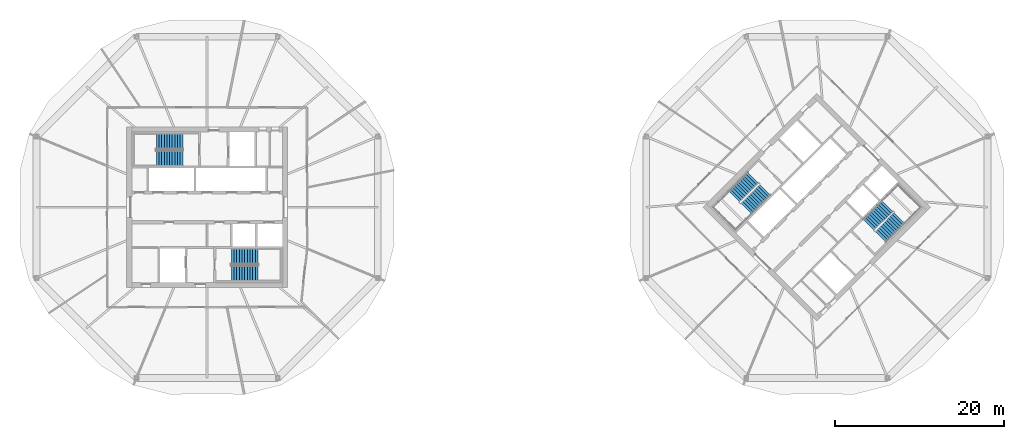
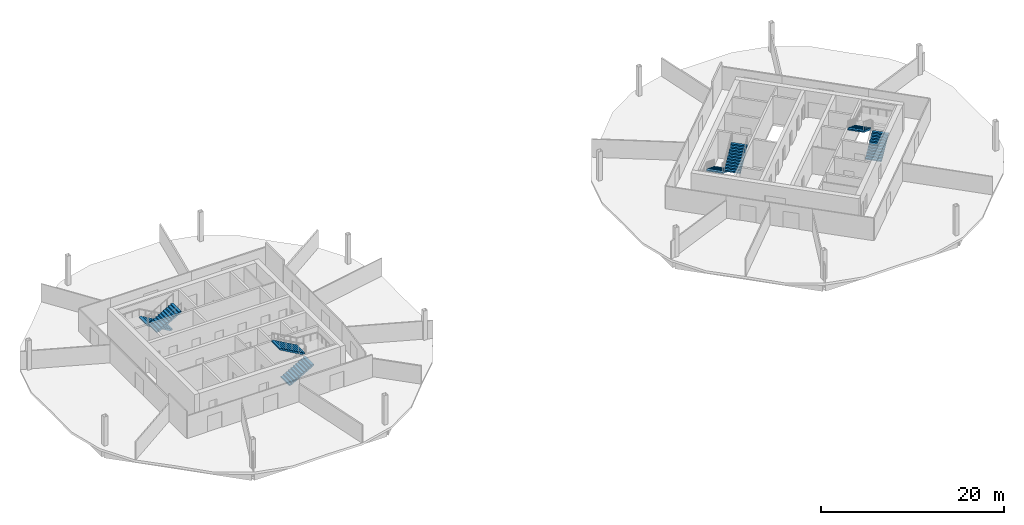
# One storey, part 9 of 10: 8 stair flights, 4 elements without a shape of their own.
"""IFC4 building model written with IfcOpenShell, lengths in metres."""

from ifc_helpers import new_model, si_unit, direction, frame, origin, place, context, subcontext, project, spatial, polyline, outline, extrude, material, type_object, element, aggregate, save


model = new_model("IFC4")

# Units and contexts
model_context = context("Model", 3, precision=1e-05, world=origin(), true_north=direction((0.0, 1.0)))
body_context = subcontext(model_context, "Body", "Model", "MODEL_VIEW")
ifc_project = project(units=[si_unit("LENGTHUNIT", "METRE"), si_unit("AREAUNIT", "SQUARE_METRE"), si_unit("VOLUMEUNIT", "CUBIC_METRE"), si_unit("PLANEANGLEUNIT", "RADIAN"), si_unit("MASSUNIT", "GRAM", prefix="KILO")], contexts=[model_context])

# Site, building, storey
site_placement = place(None, origin())
site = spatial("IfcSite", under=ifc_project, at=site_placement, CompositionType="ELEMENT")
building_placement = place(site_placement, origin())
building = spatial("IfcBuilding", under=site, at=building_placement, Name="Ogive Gate Towers", CompositionType="ELEMENT")
storey_placement = place(building_placement, frame((0.0, 0.0, 173.39990234375)))
storey = spatial("IfcBuildingStorey", under=building, at=storey_placement, Name="L41", CompositionType="ELEMENT", Elevation=173.39990234375)

# Stair, stair flights
ifc_material = material(Name="Concrete C40/50", Category="concrete")
stair_type = type_object("IfcStairType", Name="Escape stair 1840 wide", PredefinedType="HALF_TURN_STAIR", material=ifc_material)
stair_1_placement = place(storey_placement, origin())
stair_1 = element("IfcStair", 1, at=stair_1_placement, inside=storey, type_object=stair_type, Name="L41 Escape stair 1", PredefinedType="HALF_TURN_STAIR")
stair_flight_type = type_object("IfcStairFlightType", Name="Stair flight 1840 wide", PredefinedType="STRAIGHT", material=ifc_material)
stair_flight_1_placement = place(storey_placement, frame((-38.864990234375, 7.780029296875, 0.0), z_axis=(0.0, 0.0, 1.0), x_axis=(-1.0, 0.0, 0.0)))
stair_flight_1 = element("IfcStairFlight", 2, at=stair_flight_1_placement, type_object=stair_flight_type, Name="ST1 flight 1", NumberOfRisers=11, NumberOfTreads=10, PredefinedType="STRAIGHT", RiserHeight=0.177272727, TreadLength=0.313636364, context=body_context, shape_type="SweptSolid", body=[
    extrude(outline(polyline([(0.0, 0.0), (0.0, 0.17724609375), (0.313720703125, 0.17724609375), (0.313720703125, 0.3544921875), (0.627197265625, 0.3544921875), (0.627197265625, 0.53173828125), (0.94091796875, 0.53173828125), (0.94091796875, 0.708984375), (1.254638671875, 0.708984375), (1.254638671875, 0.886474609375), (1.568115234375, 0.886474609375), (1.568115234375, 1.063720703125), (1.8818359375, 1.063720703125), (1.8818359375, 1.240966796875), (2.195556640625, 1.240966796875), (2.195556640625, 1.418212890625), (2.509033203125, 1.418212890625), (2.509033203125, 1.595458984375), (2.82275390625, 1.595458984375), (2.82275390625, 1.772705078125), (3.136474609375, 1.772705078125), (3.136474609375, 1.949951171875), (3.136474609375, 1.6005859375), (0.3046875, 0.0), (0.0, 0.0)])), frame((0.0, 0.919921875, 0.0), z_axis=(0.0, -1.0, 0.0), x_axis=(1.0, 0.0, 0.0)), (0.0, 0.0, 1.0), 1.840087890625),
])
stair_flight_2_placement = place(storey_placement, frame((-42.00146484375, 5.794921875, 1.9501953125), z_axis=(0.0, 0.0, 1.0), x_axis=(1.0, 0.0, 0.0)))
stair_flight_2 = element("IfcStairFlight", 3, at=stair_flight_2_placement, type_object=stair_flight_type, Name="ST1 flight 2", NumberOfRisers=11, NumberOfTreads=10, PredefinedType="STRAIGHT", RiserHeight=0.177272727, TreadLength=0.313636364, context=body_context, shape_type="SweptSolid", body=[
    extrude(outline(polyline([(0.0, 0.0), (0.0, 0.17724609375), (0.313720703125, 0.17724609375), (0.313720703125, 0.3544921875), (0.627197265625, 0.3544921875), (0.627197265625, 0.53173828125), (0.94091796875, 0.53173828125), (0.94091796875, 0.708984375), (1.254638671875, 0.708984375), (1.254638671875, 0.886474609375), (1.568115234375, 0.886474609375), (1.568115234375, 1.063720703125), (1.8818359375, 1.063720703125), (1.8818359375, 1.240966796875), (2.195556640625, 1.240966796875), (2.195556640625, 1.418212890625), (2.509033203125, 1.418212890625), (2.509033203125, 1.595458984375), (2.82275390625, 1.595458984375), (2.82275390625, 1.772705078125), (3.136474609375, 1.772705078125), (3.136474609375, 1.949951171875), (3.136474609375, 1.6005859375), (0.3046875, 0.0), (0.0, 0.0)])), frame((0.0, 0.919921875, 0.0), z_axis=(0.0, -1.0, 0.0), x_axis=(1.0, 0.0, 0.0)), (0.0, 0.0, 1.0), 1.840087890625),
])
aggregate(stair_1, [stair_flight_1, stair_flight_2])

stair_2_placement = place(storey_placement, origin())
stair_2 = element("IfcStair", 4, at=stair_2_placement, inside=storey, type_object=stair_type, Name="L41 Escape stair 2", PredefinedType="HALF_TURN_STAIR")
stair_flight_3_placement = place(storey_placement, frame((-33.135009765625, -7.780029296875, 0.0), z_axis=(0.0, 0.0, 1.0), x_axis=(1.0, 0.0, 0.0)))
stair_flight_3 = element("IfcStairFlight", 5, at=stair_flight_3_placement, type_object=stair_flight_type, Name="ST2 flight 1", NumberOfRisers=11, NumberOfTreads=10, PredefinedType="STRAIGHT", RiserHeight=0.177272727, TreadLength=0.313636364, context=body_context, shape_type="SweptSolid", body=[
    extrude(outline(polyline([(0.0, 0.0), (0.0, 0.17724609375), (0.313720703125, 0.17724609375), (0.313720703125, 0.3544921875), (0.627197265625, 0.3544921875), (0.627197265625, 0.53173828125), (0.94091796875, 0.53173828125), (0.94091796875, 0.708984375), (1.254638671875, 0.708984375), (1.254638671875, 0.886474609375), (1.568115234375, 0.886474609375), (1.568115234375, 1.063720703125), (1.8818359375, 1.063720703125), (1.8818359375, 1.240966796875), (2.195556640625, 1.240966796875), (2.195556640625, 1.418212890625), (2.509033203125, 1.418212890625), (2.509033203125, 1.595458984375), (2.82275390625, 1.595458984375), (2.82275390625, 1.772705078125), (3.136474609375, 1.772705078125), (3.136474609375, 1.949951171875), (3.136474609375, 1.6005859375), (0.3046875, 0.0), (0.0, 0.0)])), frame((0.0, 0.919921875, 0.0), z_axis=(0.0, -1.0, 0.0), x_axis=(1.0, 0.0, 0.0)), (0.0, 0.0, 1.0), 1.840087890625),
])
stair_flight_4_placement = place(storey_placement, frame((-29.99853515625, -5.794921875, 1.9501953125), z_axis=(0.0, 0.0, 1.0), x_axis=(-1.0, 0.0, 0.0)))
stair_flight_4 = element("IfcStairFlight", 6, at=stair_flight_4_placement, type_object=stair_flight_type, Name="ST2 flight 2", NumberOfRisers=11, NumberOfTreads=10, PredefinedType="STRAIGHT", RiserHeight=0.177272727, TreadLength=0.313636364, context=body_context, shape_type="SweptSolid", body=[
    extrude(outline(polyline([(0.0, 0.0), (0.0, 0.17724609375), (0.313720703125, 0.17724609375), (0.313720703125, 0.3544921875), (0.627197265625, 0.3544921875), (0.627197265625, 0.53173828125), (0.94091796875, 0.53173828125), (0.94091796875, 0.708984375), (1.254638671875, 0.708984375), (1.254638671875, 0.886474609375), (1.568115234375, 0.886474609375), (1.568115234375, 1.063720703125), (1.8818359375, 1.063720703125), (1.8818359375, 1.240966796875), (2.195556640625, 1.240966796875), (2.195556640625, 1.418212890625), (2.509033203125, 1.418212890625), (2.509033203125, 1.595458984375), (2.82275390625, 1.595458984375), (2.82275390625, 1.772705078125), (3.136474609375, 1.772705078125), (3.136474609375, 1.949951171875), (3.136474609375, 1.6005859375), (0.3046875, 0.0), (0.0, 0.0)])), frame((0.0, 0.919921875, 0.0), z_axis=(0.0, -1.0, 0.0), x_axis=(1.0, 0.0, 0.0)), (0.0, 0.0, 1.0), 1.840087890625),
])
aggregate(stair_2, [stair_flight_3, stair_flight_4])

stair_3_placement = place(storey_placement, origin())
stair_3 = element("IfcStair", 7, at=stair_3_placement, inside=storey, type_object=stair_type, Name="L41 Escape stair 1", PredefinedType="HALF_TURN_STAIR")
stair_flight_5_placement = place(storey_placement, frame((28.472900390625, 3.475341796875, 0.0), z_axis=(0.0, 0.0, 1.0), x_axis=(-0.707106781187, -0.707106781187, 0.0)))
stair_flight_5 = element("IfcStairFlight", 8, at=stair_flight_5_placement, type_object=stair_flight_type, Name="ST1 flight 1", NumberOfRisers=11, NumberOfTreads=10, PredefinedType="STRAIGHT", RiserHeight=0.177272727, TreadLength=0.313636364, context=body_context, shape_type="SweptSolid", body=[
    extrude(outline(polyline([(0.0, 0.0), (0.0, 0.17724609375), (0.313720703125, 0.17724609375), (0.313720703125, 0.3544921875), (0.627197265625, 0.3544921875), (0.627197265625, 0.53173828125), (0.94091796875, 0.53173828125), (0.94091796875, 0.708984375), (1.254638671875, 0.708984375), (1.254638671875, 0.886474609375), (1.568115234375, 0.886474609375), (1.568115234375, 1.063720703125), (1.8818359375, 1.063720703125), (1.8818359375, 1.240966796875), (2.195556640625, 1.240966796875), (2.195556640625, 1.418212890625), (2.509033203125, 1.418212890625), (2.509033203125, 1.595458984375), (2.82275390625, 1.595458984375), (2.82275390625, 1.772705078125), (3.136474609375, 1.772705078125), (3.136474609375, 1.949951171875), (3.136474609375, 1.6005859375), (0.3046875, 0.0), (0.0, 0.0)])), frame((0.0, 0.919921875, 0.0), z_axis=(0.0, -1.0, 0.0), x_axis=(1.0, 0.0, 0.0)), (0.0, 0.0, 1.0), 1.840087890625),
])
stair_flight_6_placement = place(storey_placement, frame((27.65869140625, -0.14599609375, 1.9501953125), z_axis=(0.0, 0.0, 1.0), x_axis=(0.707106781187, 0.707106781187, 0.0)))
stair_flight_6 = element("IfcStairFlight", 9, at=stair_flight_6_placement, type_object=stair_flight_type, Name="ST1 flight 2", NumberOfRisers=11, NumberOfTreads=10, PredefinedType="STRAIGHT", RiserHeight=0.177272727, TreadLength=0.313636364, context=body_context, shape_type="SweptSolid", body=[
    extrude(outline(polyline([(0.0, 0.0), (0.0, 0.17724609375), (0.313720703125, 0.17724609375), (0.313720703125, 0.3544921875), (0.627197265625, 0.3544921875), (0.627197265625, 0.53173828125), (0.94091796875, 0.53173828125), (0.94091796875, 0.708984375), (1.254638671875, 0.708984375), (1.254638671875, 0.886474609375), (1.568115234375, 0.886474609375), (1.568115234375, 1.063720703125), (1.8818359375, 1.063720703125), (1.8818359375, 1.240966796875), (2.195556640625, 1.240966796875), (2.195556640625, 1.418212890625), (2.509033203125, 1.418212890625), (2.509033203125, 1.595458984375), (2.82275390625, 1.595458984375), (2.82275390625, 1.772705078125), (3.136474609375, 1.772705078125), (3.136474609375, 1.949951171875), (3.136474609375, 1.6005859375), (0.3046875, 0.0), (0.0, 0.0)])), frame((0.0, 0.919921875, 0.0), z_axis=(0.0, -1.0, 0.0), x_axis=(1.0, 0.0, 0.0)), (0.0, 0.0, 1.0), 1.840087890625),
])
aggregate(stair_3, [stair_flight_5, stair_flight_6])

stair_4_placement = place(storey_placement, origin())
stair_4 = element("IfcStair", 10, at=stair_4_placement, inside=storey, type_object=stair_type, Name="L41 Escape stair 2", PredefinedType="HALF_TURN_STAIR")
stair_flight_7_placement = place(storey_placement, frame((43.527099609375, -3.475341796875, 0.0), z_axis=(0.0, 0.0, 1.0), x_axis=(0.707106781187, 0.707106781187, 0.0)))
stair_flight_7 = element("IfcStairFlight", 11, at=stair_flight_7_placement, type_object=stair_flight_type, Name="ST2 flight 1", NumberOfRisers=11, NumberOfTreads=10, PredefinedType="STRAIGHT", RiserHeight=0.177272727, TreadLength=0.313636364, context=body_context, shape_type="SweptSolid", body=[
    extrude(outline(polyline([(0.0, 0.0), (0.0, 0.17724609375), (0.313720703125, 0.17724609375), (0.313720703125, 0.3544921875), (0.627197265625, 0.3544921875), (0.627197265625, 0.53173828125), (0.94091796875, 0.53173828125), (0.94091796875, 0.708984375), (1.254638671875, 0.708984375), (1.254638671875, 0.886474609375), (1.568115234375, 0.886474609375), (1.568115234375, 1.063720703125), (1.8818359375, 1.063720703125), (1.8818359375, 1.240966796875), (2.195556640625, 1.240966796875), (2.195556640625, 1.418212890625), (2.509033203125, 1.418212890625), (2.509033203125, 1.595458984375), (2.82275390625, 1.595458984375), (2.82275390625, 1.772705078125), (3.136474609375, 1.772705078125), (3.136474609375, 1.949951171875), (3.136474609375, 1.6005859375), (0.3046875, 0.0), (0.0, 0.0)])), frame((0.0, 0.919921875, 0.0), z_axis=(0.0, -1.0, 0.0), x_axis=(1.0, 0.0, 0.0)), (0.0, 0.0, 1.0), 1.840087890625),
])
stair_flight_8_placement = place(storey_placement, frame((44.34130859375, 0.14599609375, 1.9501953125), z_axis=(0.0, 0.0, 1.0), x_axis=(-0.707106781187, -0.707106781187, 0.0)))
stair_flight_8 = element("IfcStairFlight", 12, at=stair_flight_8_placement, type_object=stair_flight_type, Name="ST2 flight 2", NumberOfRisers=11, NumberOfTreads=10, PredefinedType="STRAIGHT", RiserHeight=0.177272727, TreadLength=0.313636364, context=body_context, shape_type="SweptSolid", body=[
    extrude(outline(polyline([(0.0, 0.0), (0.0, 0.17724609375), (0.313720703125, 0.17724609375), (0.313720703125, 0.3544921875), (0.627197265625, 0.3544921875), (0.627197265625, 0.53173828125), (0.94091796875, 0.53173828125), (0.94091796875, 0.708984375), (1.254638671875, 0.708984375), (1.254638671875, 0.886474609375), (1.568115234375, 0.886474609375), (1.568115234375, 1.063720703125), (1.8818359375, 1.063720703125), (1.8818359375, 1.240966796875), (2.195556640625, 1.240966796875), (2.195556640625, 1.418212890625), (2.509033203125, 1.418212890625), (2.509033203125, 1.595458984375), (2.82275390625, 1.595458984375), (2.82275390625, 1.772705078125), (3.136474609375, 1.772705078125), (3.136474609375, 1.949951171875), (3.136474609375, 1.6005859375), (0.3046875, 0.0), (0.0, 0.0)])), frame((0.0, 0.919921875, 0.0), z_axis=(0.0, -1.0, 0.0), x_axis=(1.0, 0.0, 0.0)), (0.0, 0.0, 1.0), 1.840087890625),
])
aggregate(stair_4, [stair_flight_7, stair_flight_8])

save(model, "model.ifc")
